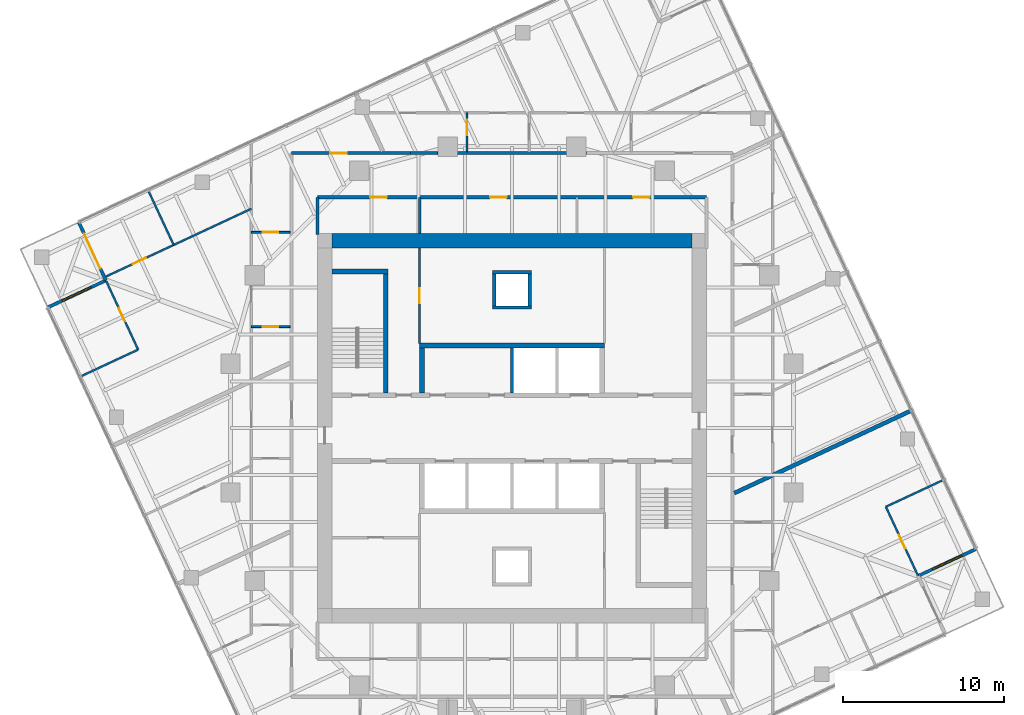
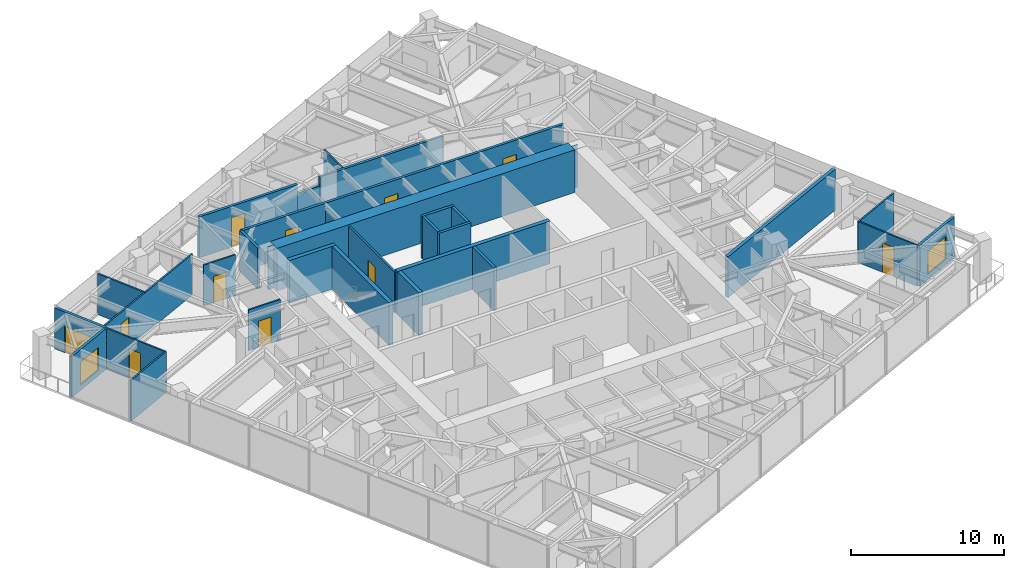
# One storey, part 10 of 12: 30 walls, 12 doors, 2 windows, 14 openings.
"""IFC4 building model written with IfcOpenShell, lengths in metres."""

from ifc_helpers import new_model, si_unit, direction, frame, frame_2d, origin, place, context, subcontext, project, spatial, polyline, rectangle, outline, extrude, material, layer, layer_set, type_object, element, fill, save


model = new_model("IFC4")

# Units and contexts
model_context = context("Model", 3, precision=1e-05, world=origin(), true_north=direction((0.0, 1.0)))
body_context = subcontext(model_context, "Body", "Model", "MODEL_VIEW")
ifc_project = project(units=[si_unit("LENGTHUNIT", "METRE"), si_unit("AREAUNIT", "SQUARE_METRE"), si_unit("VOLUMEUNIT", "CUBIC_METRE"), si_unit("PLANEANGLEUNIT", "RADIAN"), si_unit("MASSUNIT", "GRAM", prefix="KILO")], contexts=[model_context])

# Site, building, storey
site_placement = place(None, origin())
site = spatial("IfcSite", under=ifc_project, at=site_placement, CompositionType="ELEMENT")
building_placement = place(site_placement, origin())
building = spatial("IfcBuilding", under=site, at=building_placement, Name="Torsade Residences", CompositionType="ELEMENT")
storey_placement = place(building_placement, frame((0.0, 0.0, 189.60009765625)))
storey = spatial("IfcBuildingStorey", under=building, at=storey_placement, Name="L52", CompositionType="ELEMENT", Elevation=189.60009765625)

# Walls
ifc_material_1 = material(Name="Concrete 80 MPa", Category="concrete")
ifc_layer_1 = layer(ifc_material_1, 0.300048828125)
ifc_layer_set_1 = layer_set([ifc_layer_1], Name="Concrete 80 MPa")
wall_type_1 = type_object("IfcWallType", Name="CORE INTERNAL WALL 300", PredefinedType="SHEAR", material=ifc_layer_set_1)
wall_1_placement = place(storey_placement, frame((34.25, 35.14990234375, 0.0), z_axis=(0.0, 0.0, 1.0), x_axis=(1.0, 0.0, 0.0)))
element("IfcWall", 1, at=wall_1_placement, inside=storey, type_object=wall_type_1, Name="Core wall BN L52", PredefinedType="SHEAR", context=body_context, shape_type="SweptSolid", body=[
    extrude(rectangle(XDim=11.5, YDim=0.300048828125, at=frame_2d((5.75, 0.0))), origin(), (0.0, 0.0, 1.0), 3.39990234375),
])
wall_2_placement = place(storey_placement, frame((34.39990234375, 32.199951171875, 0.0), z_axis=(0.0, 0.0, 1.0), x_axis=(0.0, 1.0, 0.0)))
element("IfcWall", 2, at=wall_2_placement, inside=storey, type_object=wall_type_1, Name="Core wall DN0 L52", PredefinedType="SHEAR", context=body_context, shape_type="SweptSolid", body=[
    extrude(rectangle(XDim=2.800048828125, YDim=0.300048828125, at=frame_2d((1.39990234375, 0.0))), origin(), (0.0, 0.0, 1.0), 3.39990234375),
])
wall_3_placement = place(storey_placement, frame((32.14990234375, 32.199951171875, 0.0), z_axis=(0.0, 0.0, 1.0), x_axis=(0.0, 1.0, 0.0)))
element("IfcWall", 3, at=wall_3_placement, inside=storey, type_object=wall_type_1, Name="Core wall ST1E L52", PredefinedType="SHEAR", context=body_context, shape_type="SweptSolid", body=[
    extrude(rectangle(XDim=7.699951171875, YDim=0.300048828125, at=frame_2d((3.85009765625, 0.0))), origin(), (0.0, 0.0, 1.0), 3.39990234375),
])
wall_4_placement = place(storey_placement, frame((28.800048828125, 39.75, 0.0), z_axis=(0.0, 0.0, 1.0), x_axis=(1.0, 0.0, 0.0)))
element("IfcWall", 4, at=wall_4_placement, inside=storey, type_object=wall_type_1, Name="Core wall ST1N L52", PredefinedType="SHEAR", context=body_context, shape_type="SweptSolid", body=[
    extrude(rectangle(XDim=3.5, YDim=0.300048828125, at=frame_2d((1.75, 0.0))), origin(), (0.0, 0.0, 1.0), 3.39990234375),
])
ifc_material_2 = material(Name="Concrete 80 MPa", Category="concrete")
ifc_layer_2 = layer(ifc_material_2, 0.89990234375)
ifc_layer_set_2 = layer_set([ifc_layer_2], Name="Concrete 80 MPa")
wall_type_2 = type_object("IfcWallType", Name="CORE WALL 900", PredefinedType="SHEAR", material=ifc_layer_set_2)
wall_5_placement = place(storey_placement, frame((28.800048828125, 41.64990234375, 0.0), z_axis=(0.0, 0.0, 1.0), x_axis=(1.0, 0.0, 0.0)))
element("IfcWall", 5, at=wall_5_placement, inside=storey, type_object=wall_type_2, Name="Core wall N L52", PredefinedType="SHEAR", context=body_context, shape_type="SweptSolid", body=[
    extrude(outline(polyline([(0.0, -0.449951171875), (22.39990234375, -0.449951171875), (22.39990234375, -0.02490234375), (22.849853515625, -0.02490234375), (22.849853515625, 0.02490234375), (22.39990234375, 0.02490234375), (22.39990234375, 0.449951171875), (0.0, 0.449951171875), (0.0, 0.02490234375), (-0.449951171875, 0.02490234375), (-0.449951171875, -0.02490234375), (0.0, -0.02490234375), (0.0, -0.449951171875)])), origin(), (0.0, 0.0, 1.0), 3.39990234375),
])
ifc_material_3 = material(Name="Plasterboard on steel stud", Category="steel")
ifc_layer_3 = layer(ifc_material_3, 0.199951171875)
ifc_layer_set_3 = layer_set([ifc_layer_3], Name="Plasterboard on steel stud")
wall_type_3 = type_object("IfcWallType", Name="CORRIDOR WALL 200", PredefinedType="PARTITIONING", material=ifc_layer_set_3)
wall_6_placement = place(storey_placement, frame((44.625, 47.10009765625, 0.0), z_axis=(0.0, 0.0, 1.0), x_axis=(-1.0, 0.0, 0.0)))
element("IfcWall", 6, at=wall_6_placement, inside=storey, type_object=wall_type_3, Name="Corridor wall L52", PredefinedType="PARTITIONING", context=body_context, shape_type="SweptSolid", body=[
    extrude(rectangle(XDim=9.25, YDim=0.199951171875, at=frame_2d((4.625, 0.0))), origin(), (0.0, 0.0, 1.0), 3.25),
])
wall_7_placement = place(storey_placement, frame((35.375, 47.10009765625, 0.0), z_axis=(0.0, 0.0, 1.0), x_axis=(-1.0, 0.0, 0.0)))
element("IfcWall", 7, at=wall_7_placement, inside=storey, type_object=wall_type_3, Name="Corridor wall L52", PredefinedType="PARTITIONING", context=body_context, shape_type="SweptSolid", body=[
    extrude(rectangle(XDim=1.683349609375, YDim=0.199951171875, at=frame_2d((0.841796875, 0.0))), origin(), (0.0, 0.0, 1.0), 2.5498046875),
])

# Wall, opening, door
wall_8_placement = place(storey_placement, frame((33.691650390625, 47.10009765625, 0.0), z_axis=(0.0, 0.0, 1.0), x_axis=(-1.0, 0.0, 0.0)))
wall_8 = element("IfcWall", 8, at=wall_8_placement, inside=storey, type_object=wall_type_3, Name="Corridor wall L52", PredefinedType="PARTITIONING", context=body_context, shape_type="SweptSolid", body=[
    extrude(rectangle(XDim=7.3916015625, YDim=0.199951171875, at=frame_2d((3.69580078125, 0.0))), origin(), (0.0, 0.0, 1.0), 3.25),
])
opening_1_placement = place(wall_8_placement, frame((3.957275390625, 0.0, 0.0)))
opening_1 = element("IfcOpeningElement", 9, at=opening_1_placement, cuts=wall_8, Name="Opening D01", PredefinedType="OPENING", context=body_context, shape_type="SweptSolid", body=[
    extrude(rectangle(XDim=1.02001953125, YDim=2.340087890625, at=frame_2d((0.510009765625, 1.169921875))), frame((0.0, 0.10986328125, 0.0), z_axis=(0.0, -1.0, 0.0), x_axis=(1.0, 0.0, 0.0)), (0.0, 0.0, 1.0), 0.219970703125),
])
ifc_material_4 = material(Name="Solid-core timber fire door", Category="wood")
door_type_1 = type_object("IfcDoorType", Name="APARTMENT ENTRY DOOR 1020x2340", OperationType="NOTDEFINED", PredefinedType="DOOR", material=ifc_material_4)
door_1_placement = place(opening_1_placement, origin())
door_1 = element("IfcDoor", 10, at=door_1_placement, inside=storey, type_object=door_type_1, Name="Door Residential corridor to Kitchen and dining", OperationType="SINGLE_SWING_RIGHT", OverallHeight=2.340087890625, OverallWidth=1.02001953125, PredefinedType="DOOR", context=body_context, shape_type="SweptSolid", body=[
    extrude(rectangle(XDim=1.02001953125, YDim=2.340087890625, at=frame_2d((0.510009765625, 1.169921875))), frame((0.0, 0.02490234375, 0.0), z_axis=(0.0, -1.0, 0.0), x_axis=(1.0, 0.0, 0.0)), (0.0, 0.0, 1.0), 0.050048828125),
])
fill(opening_1, door_1)

# Wall, openings, doors
wall_9_placement = place(storey_placement, frame((52.10009765625, 44.35009765625, 0.0), z_axis=(0.0, 0.0, 1.0), x_axis=(-1.0, 0.0, 0.0)))
wall_9 = element("IfcWall", 11, at=wall_9_placement, inside=storey, type_object=wall_type_3, Name="Corridor wall L52", PredefinedType="PARTITIONING", context=body_context, shape_type="SweptSolid", body=[
    extrude(rectangle(XDim=24.2001953125, YDim=0.199951171875, at=frame_2d((12.10009765625, 0.0))), origin(), (0.0, 0.0, 1.0), 3.25),
])
opening_2_placement = place(wall_9_placement, frame((12.43701171875, 0.0, 0.0)))
opening_2 = element("IfcOpeningElement", 12, at=opening_2_placement, cuts=wall_9, Name="Opening D03", PredefinedType="OPENING", context=body_context, shape_type="SweptSolid", body=[
    extrude(rectangle(XDim=1.02001953125, YDim=2.10009765625, at=frame_2d((0.510009765625, 1.050048828125))), frame((0.0, 0.10986328125, 0.0), z_axis=(0.0, -1.0, 0.0), x_axis=(1.0, 0.0, 0.0)), (0.0, 0.0, 1.0), 0.219970703125),
])
opening_3_placement = place(wall_9_placement, frame((3.544189453125, 0.0, 0.0)))
opening_3 = element("IfcOpeningElement", 13, at=opening_3_placement, cuts=wall_9, Name="Opening D03", PredefinedType="OPENING", context=body_context, shape_type="SweptSolid", body=[
    extrude(rectangle(XDim=1.02001953125, YDim=2.10009765625, at=frame_2d((0.510009765625, 1.050048828125))), frame((0.0, 0.10986328125, 0.0), z_axis=(0.0, -1.0, 0.0), x_axis=(1.0, 0.0, 0.0)), (0.0, 0.0, 1.0), 0.219970703125),
])
opening_4_placement = place(wall_9_placement, frame((19.8828125, 0.0, 0.0)))
opening_4 = element("IfcOpeningElement", 14, at=opening_4_placement, cuts=wall_9, Name="Opening D03", PredefinedType="OPENING", context=body_context, shape_type="SweptSolid", body=[
    extrude(rectangle(XDim=1.02001953125, YDim=2.10009765625, at=frame_2d((0.510009765625, 1.050048828125))), frame((0.0, 0.10986328125, 0.0), z_axis=(0.0, -1.0, 0.0), x_axis=(1.0, 0.0, 0.0)), (0.0, 0.0, 1.0), 0.219970703125),
])
ifc_material_5 = material(Name="Steel-framed fire door", Category="steel")
door_type_2 = type_object("IfcDoorType", Name="FIRE DOOR 1020", OperationType="NOTDEFINED", PredefinedType="DOOR", material=ifc_material_5)
door_2_placement = place(opening_2_placement, origin())
door_2 = element("IfcDoor", 15, at=door_2_placement, inside=storey, type_object=door_type_2, Name="Door Residential corridor to Cleaner store", OperationType="SINGLE_SWING_LEFT", OverallHeight=2.10009765625, OverallWidth=1.02001953125, PredefinedType="DOOR", context=body_context, shape_type="SweptSolid", body=[
    extrude(rectangle(XDim=1.02001953125, YDim=2.10009765625, at=frame_2d((0.510009765625, 1.050048828125))), frame((0.0, 0.02490234375, 0.0), z_axis=(0.0, -1.0, 0.0), x_axis=(1.0, 0.0, 0.0)), (0.0, 0.0, 1.0), 0.050048828125),
])
fill(opening_2, door_2)
door_3_placement = place(opening_3_placement, origin())
door_3 = element("IfcDoor", 16, at=door_3_placement, inside=storey, type_object=door_type_2, Name="Door Residential corridor to Parcel room", OperationType="SINGLE_SWING_LEFT", OverallHeight=2.10009765625, OverallWidth=1.02001953125, PredefinedType="DOOR", context=body_context, shape_type="SweptSolid", body=[
    extrude(rectangle(XDim=1.02001953125, YDim=2.10009765625, at=frame_2d((0.510009765625, 1.050048828125))), frame((0.0, 0.02490234375, 0.0), z_axis=(0.0, -1.0, 0.0), x_axis=(1.0, 0.0, 0.0)), (0.0, 0.0, 1.0), 0.050048828125),
])
fill(opening_3, door_3)
door_4_placement = place(opening_4_placement, origin())
door_4 = element("IfcDoor", 17, at=door_4_placement, inside=storey, type_object=door_type_2, Name="Door Residential corridor to Residents storage", OperationType="SINGLE_SWING_LEFT", OverallHeight=2.10009765625, OverallWidth=1.02001953125, PredefinedType="DOOR", context=body_context, shape_type="SweptSolid", body=[
    extrude(rectangle(XDim=1.02001953125, YDim=2.10009765625, at=frame_2d((0.510009765625, 1.050048828125))), frame((0.0, 0.02490234375, 0.0), z_axis=(0.0, -1.0, 0.0), x_axis=(1.0, 0.0, 0.0)), (0.0, 0.0, 1.0), 0.050048828125),
])
fill(opening_4, door_4)

# Walls
wall_10_placement = place(storey_placement, frame((27.89990234375, 44.35009765625, 0.0), z_axis=(0.0, 0.0, 1.0), x_axis=(0.0, -1.0, 0.0)))
element("IfcWall", 18, at=wall_10_placement, inside=storey, type_object=wall_type_3, Name="Corridor wall L52", PredefinedType="PARTITIONING", context=body_context, shape_type="SweptSolid", body=[
    extrude(rectangle(XDim=2.300048828125, YDim=0.199951171875, at=frame_2d((1.14990234375, 0.0))), origin(), (0.0, 0.0, 1.0), 3.25),
])
ifc_material_6 = material(Name="Reinforced blockwork", Category="masonry")
ifc_layer_4 = layer(ifc_material_6, 0.199951171875)
ifc_layer_set_4 = layer_set([ifc_layer_4], Name="Reinforced blockwork")
wall_type_4 = type_object("IfcWallType", Name="LIFT SHAFT DIVIDING WALL 200", PredefinedType="SOLIDWALL", material=ifc_layer_set_4)
wall_11_placement = place(storey_placement, frame((40.0, 32.199951171875, 0.0), z_axis=(0.0, 0.0, 1.0), x_axis=(0.0, 1.0, 0.0)))
element("IfcWall", 19, at=wall_11_placement, inside=storey, type_object=wall_type_4, Name="Core wall DN2 L52", PredefinedType="SOLIDWALL", context=body_context, shape_type="SweptSolid", body=[
    extrude(rectangle(XDim=2.800048828125, YDim=0.199951171875, at=frame_2d((1.39990234375, 0.0))), origin(), (0.0, 0.0, 1.0), 3.39990234375),
])
ifc_material_7 = material(Name="Plasterboard on steel stud", Category="steel")
ifc_layer_5 = layer(ifc_material_7, 0.1201171875)
ifc_layer_set_5 = layer_set([ifc_layer_5], Name="Plasterboard on steel stud")
wall_type_5 = type_object("IfcWallType", Name="PARTITION 120", PredefinedType="PARTITIONING", material=ifc_layer_set_5)
wall_12_placement = place(storey_placement, frame((66.8310546875, 26.78857421875, 0.0), z_axis=(0.0, 0.0, 1.0), x_axis=(-0.906277619727, -0.422682949718, 0.0)))
element("IfcWall", 20, at=wall_12_placement, inside=storey, type_object=wall_type_5, Name="Partition L52", PredefinedType="PARTITIONING", context=body_context, shape_type="SweptSolid", body=[
    extrude(rectangle(XDim=3.9599609375, YDim=0.1201171875, at=frame_2d((1.97998046875, 0.0))), origin(), (0.0, 0.0, 1.0), 3.25),
])

# Wall, opening, door
wall_13_placement = place(storey_placement, frame((63.2421875, 25.11474609375, 0.0), z_axis=(0.0, 0.0, 1.0), x_axis=(0.422621536194, -0.906306260127, 0.0)))
wall_13 = element("IfcWall", 21, at=wall_13_placement, inside=storey, type_object=wall_type_5, Name="Partition L52", PredefinedType="PARTITIONING", context=body_context, shape_type="SweptSolid", body=[
    extrude(rectangle(XDim=4.709716796875, YDim=0.1201171875, at=frame_2d((2.35498046875, 0.0))), origin(), (0.0, 0.0, 1.0), 3.25),
])
opening_5_placement = place(wall_13_placement, frame((1.93994140625, 0.0, 0.0)))
opening_5 = element("IfcOpeningElement", 22, at=opening_5_placement, cuts=wall_13, Name="Opening D02", PredefinedType="OPENING", context=body_context, shape_type="SweptSolid", body=[
    extrude(rectangle(XDim=0.919921875, YDim=2.340087890625, at=frame_2d((0.4599609375, 1.169921875))), frame((0.0, 0.070068359375, 0.0), z_axis=(0.0, -1.0, 0.0), x_axis=(1.0, 0.0, 0.0)), (0.0, 0.0, 1.0), 0.14013671875),
])
ifc_material_8 = material(Name="Hollow-core timber door", Category="wood")
door_type_3 = type_object("IfcDoorType", Name="INTERNAL DOOR 920x2340", OperationType="NOTDEFINED", PredefinedType="DOOR", material=ifc_material_8)
door_5_placement = place(opening_5_placement, origin())
door_5 = element("IfcDoor", 23, at=door_5_placement, inside=storey, type_object=door_type_3, Name="Door Living room to Study", OperationType="SINGLE_SWING_LEFT", OverallHeight=2.340087890625, OverallWidth=0.919921875, PredefinedType="DOOR", context=body_context, shape_type="SweptSolid", body=[
    extrude(rectangle(XDim=0.919921875, YDim=2.340087890625, at=frame_2d((0.4599609375, 1.169921875))), frame((0.0, 0.02490234375, 0.0), z_axis=(0.0, -1.0, 0.0), x_axis=(1.0, 0.0, 0.0)), (0.0, 0.0, 1.0), 0.050048828125),
])
fill(opening_5, door_5)

wall_14_placement = place(storey_placement, frame((37.20361328125, 49.60009765625, 0.0), z_axis=(0.0, 0.0, 1.0), x_axis=(0.0, -1.0, 0.0)))
wall_14 = element("IfcWall", 24, at=wall_14_placement, inside=storey, type_object=wall_type_5, Name="Partition L52", PredefinedType="PARTITIONING", context=body_context, shape_type="SweptSolid", body=[
    extrude(rectangle(XDim=2.400146484375, YDim=0.1201171875, at=frame_2d((1.2001953125, 0.0))), origin(), (0.0, 0.0, 1.0), 3.25),
])
opening_6_placement = place(wall_14_placement, frame((0.419921875, 0.0, 0.0)))
opening_6 = element("IfcOpeningElement", 25, at=opening_6_placement, cuts=wall_14, Name="Opening D05", PredefinedType="OPENING", context=body_context, shape_type="SweptSolid", body=[
    extrude(rectangle(XDim=0.9599609375, YDim=2.10009765625, at=frame_2d((0.47998046875, 1.050048828125))), frame((0.0, 0.070068359375, 0.0), z_axis=(0.0, -1.0, 0.0), x_axis=(1.0, 0.0, 0.0)), (0.0, 0.0, 1.0), 0.14013671875),
])
ifc_material_9 = material(Name="Hollow-core timber door in a steel cavity frame", Category="steel")
door_type_4 = type_object("IfcDoorType", Name="BATHROOM CAVITY SLIDING DOOR 960", OperationType="SLIDING_TO_LEFT", PredefinedType="DOOR", material=ifc_material_9)
door_6_placement = place(opening_6_placement, origin())
door_6 = element("IfcDoor", 26, at=door_6_placement, inside=storey, type_object=door_type_4, Name="Door Laundry to Ensuite", OperationType="SLIDING_TO_LEFT", OverallHeight=2.10009765625, OverallWidth=0.9599609375, PredefinedType="DOOR", context=body_context, shape_type="SweptSolid", body=[
    extrude(rectangle(XDim=0.9599609375, YDim=2.10009765625, at=frame_2d((0.47998046875, 1.050048828125))), frame((0.0, 0.02490234375, 0.0), z_axis=(0.0, -1.0, 0.0), x_axis=(1.0, 0.0, 0.0)), (0.0, 0.0, 1.0), 0.050048828125),
])
fill(opening_6, door_6)

wall_15_placement = place(storey_placement, frame((26.199951171875, 42.172119140625, 0.0), z_axis=(0.0, 0.0, 1.0), x_axis=(-1.0, 0.0, 0.0)))
wall_15 = element("IfcWall", 27, at=wall_15_placement, inside=storey, type_object=wall_type_5, Name="Partition L52", PredefinedType="PARTITIONING", context=body_context, shape_type="SweptSolid", body=[
    extrude(rectangle(XDim=2.39990234375, YDim=0.1201171875, at=frame_2d((1.199951171875, 0.0))), origin(), (0.0, 0.0, 1.0), 3.25),
])
opening_7_placement = place(wall_15_placement, frame((0.719970703125, 0.0, 0.0)))
opening_7 = element("IfcOpeningElement", 28, at=opening_7_placement, cuts=wall_15, Name="Opening D05", PredefinedType="OPENING", context=body_context, shape_type="SweptSolid", body=[
    extrude(rectangle(XDim=0.9599609375, YDim=2.10009765625, at=frame_2d((0.47998046875, 1.050048828125))), frame((0.0, 0.070068359375, 0.0), z_axis=(0.0, -1.0, 0.0), x_axis=(1.0, 0.0, 0.0)), (0.0, 0.0, 1.0), 0.14013671875),
])
door_7_placement = place(opening_7_placement, origin())
door_7 = element("IfcDoor", 29, at=door_7_placement, inside=storey, type_object=door_type_4, Name="Door Kitchen and dining to Bathroom", OperationType="SLIDING_TO_LEFT", OverallHeight=2.10009765625, OverallWidth=0.9599609375, PredefinedType="DOOR", context=body_context, shape_type="SweptSolid", body=[
    extrude(rectangle(XDim=0.9599609375, YDim=2.10009765625, at=frame_2d((0.47998046875, 1.050048828125))), frame((0.0, 0.02490234375, 0.0), z_axis=(0.0, -1.0, 0.0), x_axis=(1.0, 0.0, 0.0)), (0.0, 0.0, 1.0), 0.050048828125),
])
fill(opening_7, door_7)

wall_16_placement = place(storey_placement, frame((26.199951171875, 36.30810546875, 0.0), z_axis=(0.0, 0.0, 1.0), x_axis=(-1.0, 0.0, 0.0)))
wall_16 = element("IfcWall", 30, at=wall_16_placement, inside=storey, type_object=wall_type_5, Name="Partition L52", PredefinedType="PARTITIONING", context=body_context, shape_type="SweptSolid", body=[
    extrude(rectangle(XDim=2.39990234375, YDim=0.1201171875, at=frame_2d((1.199951171875, 0.0))), origin(), (0.0, 0.0, 1.0), 3.25),
])
opening_8_placement = place(wall_16_placement, frame((0.719970703125, 0.0, 0.0)))
opening_8 = element("IfcOpeningElement", 31, at=opening_8_placement, cuts=wall_16, Name="Opening D05", PredefinedType="OPENING", context=body_context, shape_type="SweptSolid", body=[
    extrude(rectangle(XDim=0.9599609375, YDim=2.10009765625, at=frame_2d((0.47998046875, 1.050048828125))), frame((0.0, 0.070068359375, 0.0), z_axis=(0.0, -1.0, 0.0), x_axis=(1.0, 0.0, 0.0)), (0.0, 0.0, 1.0), 0.14013671875),
])
door_8_placement = place(opening_8_placement, origin())
door_8 = element("IfcDoor", 32, at=door_8_placement, inside=storey, type_object=door_type_4, Name="Door Bathroom to Ensuite", OperationType="SLIDING_TO_LEFT", OverallHeight=2.10009765625, OverallWidth=0.9599609375, PredefinedType="DOOR", context=body_context, shape_type="SweptSolid", body=[
    extrude(rectangle(XDim=0.9599609375, YDim=2.10009765625, at=frame_2d((0.47998046875, 1.050048828125))), frame((0.0, 0.02490234375, 0.0), z_axis=(0.0, -1.0, 0.0), x_axis=(1.0, 0.0, 0.0)), (0.0, 0.0, 1.0), 0.050048828125),
])
fill(opening_8, door_8)

wall_17_placement = place(storey_placement, frame((14.69677734375, 39.39990234375, 0.0), z_axis=(0.0, 0.0, 1.0), x_axis=(0.906300466163, 0.422633961049, 0.0)))
wall_17 = element("IfcWall", 33, at=wall_17_placement, inside=storey, type_object=wall_type_5, Name="Partition L52", PredefinedType="PARTITIONING", context=body_context, shape_type="SweptSolid", body=[
    extrude(rectangle(XDim=10.04443359375, YDim=0.1201171875, at=frame_2d((5.022216796875, 0.0))), origin(), (0.0, 0.0, 1.0), 3.25),
])
opening_9_placement = place(wall_17_placement, frame((1.89990234375, 0.0, 0.0)))
opening_9 = element("IfcOpeningElement", 34, at=opening_9_placement, cuts=wall_17, Name="Opening D02", PredefinedType="OPENING", context=body_context, shape_type="SweptSolid", body=[
    extrude(rectangle(XDim=0.919921875, YDim=2.340087890625, at=frame_2d((0.4599609375, 1.169921875))), frame((0.0, 0.070068359375, 0.0), z_axis=(0.0, -1.0, 0.0), x_axis=(1.0, 0.0, 0.0)), (0.0, 0.0, 1.0), 0.14013671875),
])
door_9_placement = place(opening_9_placement, origin())
door_9 = element("IfcDoor", 35, at=door_9_placement, inside=storey, type_object=door_type_3, Name="Door Living room to Bedroom 2", OperationType="SINGLE_SWING_RIGHT", OverallHeight=2.340087890625, OverallWidth=0.919921875, PredefinedType="DOOR", context=body_context, shape_type="SweptSolid", body=[
    extrude(rectangle(XDim=0.919921875, YDim=2.340087890625, at=frame_2d((0.4599609375, 1.169921875))), frame((0.0, 0.02490234375, 0.0), z_axis=(0.0, -1.0, 0.0), x_axis=(1.0, 0.0, 0.0)), (0.0, 0.0, 1.0), 0.050048828125),
])
fill(opening_9, door_9)

# Wall
wall_18_placement = place(storey_placement, frame((13.1689453125, 33.21142578125, 0.0), z_axis=(0.0, 0.0, 1.0), x_axis=(0.906277619727, 0.422682949718, 0.0)))
element("IfcWall", 36, at=wall_18_placement, inside=storey, type_object=wall_type_5, Name="Partition L52", PredefinedType="PARTITIONING", context=body_context, shape_type="SweptSolid", body=[
    extrude(rectangle(XDim=3.9599609375, YDim=0.1201171875, at=frame_2d((1.97998046875, 0.0))), origin(), (0.0, 0.0, 1.0), 3.25),
])

# Wall, opening, door
wall_19_placement = place(storey_placement, frame((16.7578125, 34.88525390625, 0.0), z_axis=(0.0, 0.0, 1.0), x_axis=(-0.422621536194, 0.906306260127, 0.0)))
wall_19 = element("IfcWall", 37, at=wall_19_placement, inside=storey, type_object=wall_type_5, Name="Partition L52", PredefinedType="PARTITIONING", context=body_context, shape_type="SweptSolid", body=[
    extrude(rectangle(XDim=4.709716796875, YDim=0.1201171875, at=frame_2d((2.35498046875, 0.0))), origin(), (0.0, 0.0, 1.0), 3.25),
])
opening_10_placement = place(wall_19_placement, frame((1.93994140625, 0.0, 0.0)))
opening_10 = element("IfcOpeningElement", 38, at=opening_10_placement, cuts=wall_19, Name="Opening D02", PredefinedType="OPENING", context=body_context, shape_type="SweptSolid", body=[
    extrude(rectangle(XDim=0.919921875, YDim=2.340087890625, at=frame_2d((0.4599609375, 1.169921875))), frame((0.0, 0.070068359375, 0.0), z_axis=(0.0, -1.0, 0.0), x_axis=(1.0, 0.0, 0.0)), (0.0, 0.0, 1.0), 0.14013671875),
])
door_10_placement = place(opening_10_placement, origin())
door_10 = element("IfcDoor", 39, at=door_10_placement, inside=storey, type_object=door_type_3, Name="Door Living room to Study", OperationType="SINGLE_SWING_LEFT", OverallHeight=2.340087890625, OverallWidth=0.919921875, PredefinedType="DOOR", context=body_context, shape_type="SweptSolid", body=[
    extrude(rectangle(XDim=0.919921875, YDim=2.340087890625, at=frame_2d((0.4599609375, 1.169921875))), frame((0.0, 0.02490234375, 0.0), z_axis=(0.0, -1.0, 0.0), x_axis=(1.0, 0.0, 0.0)), (0.0, 0.0, 1.0), 0.050048828125),
])
fill(opening_10, door_10)

# Walls
wall_20_placement = place(storey_placement, frame((18.96533203125, 41.390625, 0.0), z_axis=(0.0, 0.0, 1.0), x_axis=(-0.422600090785, 0.906316260071, 0.0)))
element("IfcWall", 40, at=wall_20_placement, inside=storey, type_object=wall_type_5, Name="Partition L52", PredefinedType="PARTITIONING", context=body_context, shape_type="SweptSolid", body=[
    extrude(rectangle(XDim=3.7470703125, YDim=0.1201171875, at=frame_2d((1.87353515625, 0.0))), origin(), (0.0, 0.0, 1.0), 3.25),
])
ifc_material_10 = material(Name="Masonry-lined stud party wall", Category="masonry")
ifc_layer_6 = layer(ifc_material_10, 0.25)
ifc_layer_set_6 = layer_set([ifc_layer_6], Name="Masonry-lined stud party wall")
wall_type_6 = type_object("IfcWallType", Name="PARTY WALL 250", PredefinedType="PARTITIONING", material=ifc_layer_set_6)
wall_21_placement = place(storey_placement, frame((64.85986328125, 31.1103515625, 0.0), z_axis=(0.0, 0.0, 1.0), x_axis=(-0.906303906082, -0.422626584374, 0.0)))
element("IfcWall", 41, at=wall_21_placement, inside=storey, type_object=wall_type_6, Name="Party wall L52", PredefinedType="PARTITIONING", context=body_context, shape_type="SweptSolid", body=[
    extrude(rectangle(XDim=12.184814453125, YDim=0.25, at=frame_2d((6.09228515625, 0.0))), origin(), (0.0, 0.0, 1.0), 3.25),
])
ifc_material_11 = material(Name="Reinforced blockwork", Category="masonry")
ifc_layer_7 = layer(ifc_material_11, 0.199951171875)
ifc_layer_set_7 = layer_set([ifc_layer_7], Name="Reinforced blockwork")
wall_type_7 = type_object("IfcWallType", Name="RISER SHAFT WALL 200", PredefinedType="SOLIDWALL", material=ifc_layer_set_7)
for number, where, z_axis, x_axis, name in (
    (42, (38.89990234375, 37.60009765625, 0.0), (0.0, 0.0, 1.0), (0.0, 1.0, 0.0), "Core wall RS1a L52"),
    (43, (41.10009765625, 37.60009765625, 0.0), (0.0, 0.0, 1.0), (0.0, 1.0, 0.0), "Core wall RS1b L52"),
):
    element("IfcWall", number, at=place(storey_placement, frame(where, z_axis=z_axis, x_axis=x_axis)), inside=storey, type_object=wall_type_7, Name=name, PredefinedType="SOLIDWALL", context=body_context, shape_type="SweptSolid", body=[
        extrude(rectangle(XDim=2.0, YDim=0.199951171875, at=frame_2d((1.0, 0.0))), origin(), (0.0, 0.0, 1.0), 3.39990234375),
    ])
for number, where, z_axis, x_axis, name in (
    (44, (38.800048828125, 37.5, 0.0), (0.0, 0.0, 1.0), (1.0, 0.0, 0.0), "Core wall RS1c L52"),
    (45, (38.800048828125, 39.699951171875, 0.0), (0.0, 0.0, 1.0), (1.0, 0.0, 0.0), "Core wall RS1d L52"),
):
    element("IfcWall", number, at=place(storey_placement, frame(where, z_axis=z_axis, x_axis=x_axis)), inside=storey, type_object=wall_type_7, Name=name, PredefinedType="SOLIDWALL", context=body_context, shape_type="SweptSolid", body=[
        extrude(rectangle(XDim=2.39990234375, YDim=0.199951171875, at=frame_2d((1.199951171875, 0.0))), origin(), (0.0, 0.0, 1.0), 3.39990234375),
    ])

# Wall, opening, door
ifc_material_12 = material(Name="Reinforced blockwork", Category="masonry")
ifc_layer_8 = layer(ifc_material_12, 0.14990234375)
ifc_layer_set_8 = layer_set([ifc_layer_8], Name="Reinforced blockwork")
wall_type_8 = type_object("IfcWallType", Name="SERVICE ROOM WALL 150", PredefinedType="SOLIDWALL", material=ifc_layer_set_8)
wall_22_placement = place(storey_placement, frame((34.25, 41.199951171875, 0.0), z_axis=(0.0, 0.0, 1.0), x_axis=(0.0, -1.0, 0.0)))
wall_22 = element("IfcWall", 46, at=wall_22_placement, inside=storey, type_object=wall_type_8, Name="Service room wall L52", PredefinedType="SOLIDWALL", context=body_context, shape_type="SweptSolid", body=[
    extrude(rectangle(XDim=5.949951171875, YDim=0.14990234375, at=frame_2d((2.97509765625, 0.0))), origin(), (0.0, 0.0, 1.0), 3.25),
])
opening_11_placement = place(wall_22_placement, frame((2.514892578125, 0.0, 0.0)))
opening_11 = element("IfcOpeningElement", 47, at=opening_11_placement, cuts=wall_22, Name="Opening D06", PredefinedType="OPENING", context=body_context, shape_type="SweptSolid", body=[
    extrude(rectangle(XDim=0.919921875, YDim=2.10009765625, at=frame_2d((0.4599609375, 1.050048828125))), frame((0.0, 0.0849609375, 0.0), z_axis=(0.0, -1.0, 0.0), x_axis=(1.0, 0.0, 0.0)), (0.0, 0.0, 1.0), 0.169921875),
])
ifc_material_13 = material(Name="Steel-framed fire door", Category="steel")
door_type_5 = type_object("IfcDoorType", Name="FIRE DOOR 920", OperationType="NOTDEFINED", PredefinedType="DOOR", material=ifc_material_13)
door_11_placement = place(opening_11_placement, origin())
door_11 = element("IfcDoor", 48, at=door_11_placement, inside=storey, type_object=door_type_5, Name="Door Main switchboard store to Electrical riser room", OperationType="SINGLE_SWING_RIGHT", OverallHeight=2.10009765625, OverallWidth=0.919921875, PredefinedType="DOOR", context=body_context, shape_type="SweptSolid", body=[
    extrude(rectangle(XDim=0.919921875, YDim=2.10009765625, at=frame_2d((0.4599609375, 1.050048828125))), frame((0.0, 0.02490234375, 0.0), z_axis=(0.0, -1.0, 0.0), x_axis=(1.0, 0.0, 0.0)), (0.0, 0.0, 1.0), 0.050048828125),
])
fill(opening_11, door_11)

# Wall
wall_23_placement = place(storey_placement, frame((34.2646484375, 42.10009765625, 0.0), z_axis=(0.0, 0.0, 1.0), x_axis=(0.0, 1.0, 0.0)))
element("IfcWall", 49, at=wall_23_placement, inside=storey, type_object=wall_type_8, Name="Service room wall L52", PredefinedType="SOLIDWALL", context=body_context, shape_type="SweptSolid", body=[
    extrude(rectangle(XDim=2.25, YDim=0.14990234375, at=frame_2d((1.125, 0.0))), origin(), (0.0, 0.0, 1.0), 2.7958984375),
])

# Wall, opening, window
ifc_material_14 = material(Name="Stone-faced precast concrete 40 MPa panel", Category="masonry")
ifc_layer_9 = layer(ifc_material_14, 0.199951171875)
ifc_layer_set_9 = layer_set([ifc_layer_9], Name="Stone-faced precast concrete 40 MPa panel")
wall_type_9 = type_object("IfcWallType", Name="TERRACE WALL 200", PredefinedType="SOLIDWALL", material=ifc_layer_set_9)
wall_24_placement = place(storey_placement, frame((65.24951171875, 20.809814453125, 0.0), z_axis=(0.0, 0.0, 1.0), x_axis=(0.906289140828, 0.422658246362, 0.0)))
wall_24 = element("IfcWall", 50, at=wall_24_placement, inside=storey, type_object=wall_type_9, Name="Terrace wall L52 3", PredefinedType="SOLIDWALL", context=body_context, shape_type="SweptSolid", body=[
    extrude(rectangle(XDim=4.0, YDim=0.199951171875, at=frame_2d((2.0, 0.0))), origin(), (0.0, 0.0, 1.0), 3.25),
])
opening_12_placement = place(wall_24_placement, frame((1.0, 0.0, 0.449951171875)))
opening_12 = element("IfcOpeningElement", 51, at=opening_12_placement, cuts=wall_24, Name="Opening W1B", PredefinedType="OPENING", context=body_context, shape_type="SweptSolid", body=[
    extrude(rectangle(XDim=2.0, YDim=1.800048828125, at=frame_2d((1.0, 0.89990234375))), frame((0.0, 0.10986328125, 0.0), z_axis=(0.0, -1.0, 0.0), x_axis=(1.0, 0.0, 0.0)), (0.0, 0.0, 1.0), 0.219970703125),
])
ifc_material_15 = material(Name="Aluminium-framed glass window", Category="aluminium")
window_type = type_object("IfcWindowType", Name="TERRACE WINDOW 2000x1800", PartitioningType="SINGLE_PANEL", PredefinedType="WINDOW", material=ifc_material_15)
window_1_placement = place(opening_12_placement, origin())
window_1 = element("IfcWindow", 52, at=window_1_placement, inside=storey, type_object=window_type, Name="Terrace window L52 3", OverallHeight=1.800048828125, OverallWidth=2.0, PartitioningType="SINGLE_PANEL", PredefinedType="WINDOW", context=body_context, shape_type="SweptSolid", body=[
    extrude(rectangle(XDim=2.0, YDim=1.800048828125, at=frame_2d((1.0, 0.89990234375))), frame((0.0, 0.030029296875, 0.0), z_axis=(0.0, -1.0, 0.0), x_axis=(1.0, 0.0, 0.0)), (0.0, 0.0, 1.0), 0.06005859375),
])
fill(opening_12, window_1)

# Wall, opening, door
wall_25_placement = place(storey_placement, frame((13.059814453125, 42.8154296875, 0.0), z_axis=(0.0, 0.0, 1.0), x_axis=(0.422658246362, -0.906289140828, 0.0)))
wall_25 = element("IfcWall", 53, at=wall_25_placement, inside=storey, type_object=wall_type_9, Name="Terrace wall L52 8", PredefinedType="SOLIDWALL", context=body_context, shape_type="SweptSolid", body=[
    extrude(rectangle(XDim=4.0, YDim=0.199951171875, at=frame_2d((2.0, 0.0))), origin(), (0.0, 0.0, 1.0), 3.25),
])
opening_13_placement = place(wall_25_placement, frame((0.800048828125, 0.0, 0.0)))
opening_13 = element("IfcOpeningElement", 54, at=opening_13_placement, cuts=wall_25, Name="Opening D10A", PredefinedType="OPENING", context=body_context, shape_type="SweptSolid", body=[
    extrude(rectangle(XDim=2.39990234375, YDim=2.10009765625, at=frame_2d((1.199951171875, 1.050048828125))), frame((0.0, 0.10986328125, 0.0), z_axis=(0.0, -1.0, 0.0), x_axis=(1.0, 0.0, 0.0)), (0.0, 0.0, 1.0), 0.219970703125),
])
ifc_material_16 = material(Name="Aluminium-framed glass door", Category="aluminium")
door_type_6 = type_object("IfcDoorType", Name="TERRACE SLIDING DOOR 2400x2100", OperationType="SLIDING_TO_LEFT", PredefinedType="DOOR", material=ifc_material_16)
door_12_placement = place(opening_13_placement, origin())
door_12 = element("IfcDoor", 55, at=door_12_placement, inside=storey, type_object=door_type_6, Name="Terrace door L52 8", OperationType="SLIDING_TO_LEFT", OverallHeight=2.10009765625, OverallWidth=2.39990234375, PredefinedType="DOOR", context=body_context, shape_type="SweptSolid", body=[
    extrude(rectangle(XDim=2.39990234375, YDim=2.10009765625, at=frame_2d((1.199951171875, 1.050048828125))), frame((0.0, 0.02490234375, 0.0), z_axis=(0.0, -1.0, 0.0), x_axis=(1.0, 0.0, 0.0)), (0.0, 0.0, 1.0), 0.050048828125),
])
fill(opening_13, door_12)

# Wall, opening, window
wall_26_placement = place(storey_placement, frame((14.75048828125, 39.190185546875, 0.0), z_axis=(0.0, 0.0, 1.0), x_axis=(-0.906289140828, -0.422658246362, 0.0)))
wall_26 = element("IfcWall", 56, at=wall_26_placement, inside=storey, type_object=wall_type_9, Name="Terrace wall L52 9", PredefinedType="SOLIDWALL", context=body_context, shape_type="SweptSolid", body=[
    extrude(rectangle(XDim=4.0, YDim=0.199951171875, at=frame_2d((2.0, 0.0))), origin(), (0.0, 0.0, 1.0), 3.25),
])
opening_14_placement = place(wall_26_placement, frame((1.0, 0.0, 0.449951171875)))
opening_14 = element("IfcOpeningElement", 57, at=opening_14_placement, cuts=wall_26, Name="Opening W1B", PredefinedType="OPENING", context=body_context, shape_type="SweptSolid", body=[
    extrude(rectangle(XDim=2.0, YDim=1.800048828125, at=frame_2d((1.0, 0.89990234375))), frame((0.0, 0.10986328125, 0.0), z_axis=(0.0, -1.0, 0.0), x_axis=(1.0, 0.0, 0.0)), (0.0, 0.0, 1.0), 0.219970703125),
])
window_2_placement = place(opening_14_placement, origin())
window_2 = element("IfcWindow", 58, at=window_2_placement, inside=storey, type_object=window_type, Name="Terrace window L52 9", OverallHeight=1.800048828125, OverallWidth=2.0, PartitioningType="SINGLE_PANEL", PredefinedType="WINDOW", context=body_context, shape_type="SweptSolid", body=[
    extrude(rectangle(XDim=2.0, YDim=1.800048828125, at=frame_2d((1.0, 0.89990234375))), frame((0.0, 0.030029296875, 0.0), z_axis=(0.0, -1.0, 0.0), x_axis=(1.0, 0.0, 0.0)), (0.0, 0.0, 1.0), 0.06005859375),
])
fill(opening_14, window_2)

save(model, "model.ifc")
